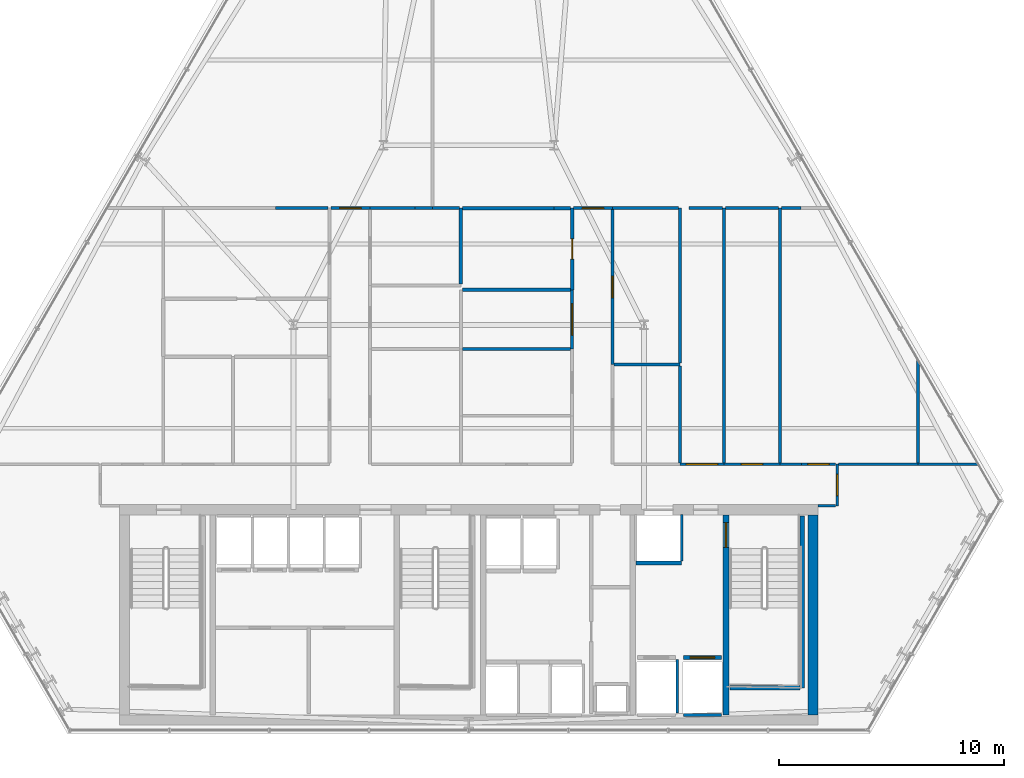
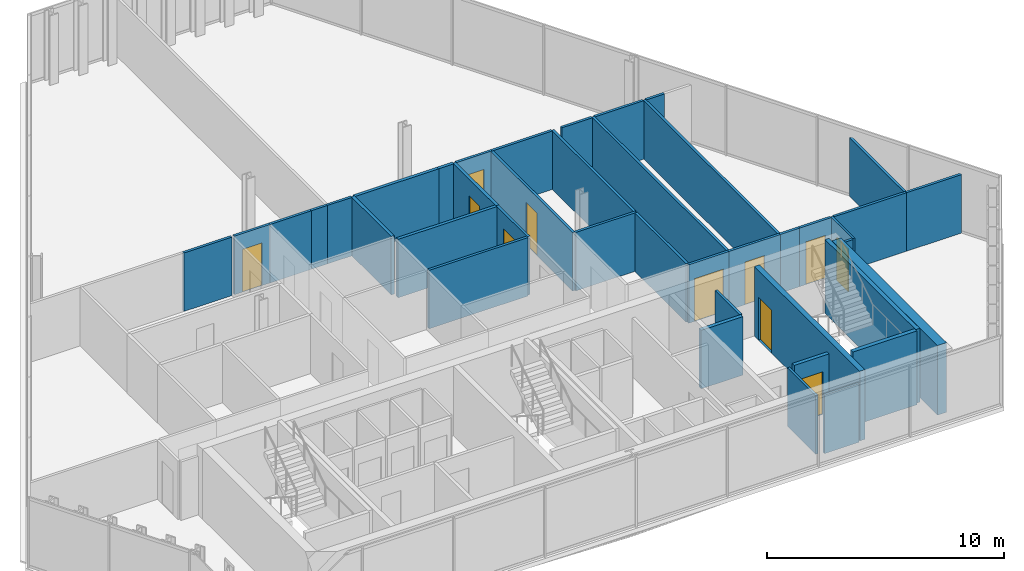
# One storey, part 27 of 31: 41 walls, 11 doors, 11 openings.
"""IFC4 building model written with IfcOpenShell, lengths in metres."""

from ifc_helpers import new_model, si_unit, direction, frame, frame_2d, origin, place, context, subcontext, project, spatial, rectangle, extrude, material, layer, layer_set, type_object, element, fill, save


model = new_model("IFC4")

# Units and contexts
model_context = context("Model", 3, precision=1e-05, world=origin(), true_north=direction((0.0, 1.0)))
body_context = subcontext(model_context, "Body", "Model", "MODEL_VIEW")
ifc_project = project(units=[si_unit("LENGTHUNIT", "METRE"), si_unit("AREAUNIT", "SQUARE_METRE"), si_unit("VOLUMEUNIT", "CUBIC_METRE"), si_unit("PLANEANGLEUNIT", "RADIAN"), si_unit("MASSUNIT", "GRAM", prefix="KILO")], contexts=[model_context])

# Site, building, storey
site_placement = place(None, origin())
site = spatial("IfcSite", under=ifc_project, at=site_placement, CompositionType="ELEMENT")
building_placement = place(site_placement, origin())
building = spatial("IfcBuilding", under=site, at=building_placement, Name="Ndaravel Arena Tower", CompositionType="ELEMENT")
storey_placement = place(building_placement, frame((0.0, 0.0, 138.39990234375)))
storey = spatial("IfcBuildingStorey", under=building, at=storey_placement, Name="L32", CompositionType="ELEMENT", Elevation=138.39990234375)

# Wall, opening, door
ifc_material_1 = material(Name="Concrete C60/75", Category="concrete")
ifc_layer_1 = layer(ifc_material_1, 0.25)
ifc_layer_set_1 = layer_set([ifc_layer_1], Name="Concrete C60/75")
wall_type_1 = type_object("IfcWallType", Name="WALL-CORE-250", PredefinedType="SOLIDWALL", material=ifc_layer_set_1)
wall_1_placement = place(storey_placement, frame((53.449951171875, 5.85009765625, 0.0), z_axis=(0.0, 0.0, 1.0), x_axis=(0.0, 1.0, 0.0)))
wall_1 = element("IfcWall", 1, at=wall_1_placement, inside=storey, type_object=wall_type_1, Name="L32 Core Web Shear Wall 5", PredefinedType="SOLIDWALL", context=body_context, shape_type="SweptSolid", body=[
    extrude(rectangle(XDim=8.89990234375, YDim=0.25, at=frame_2d((4.449951171875, 0.0))), origin(), (0.0, 0.0, 1.0), 3.580078125),
])
opening_1_placement = place(wall_1_placement, frame((7.449951171875, 0.0, 0.0)))
opening_1 = element("IfcOpeningElement", 2, at=opening_1_placement, cuts=wall_1, Name="Opening FD-01", PredefinedType="OPENING", context=body_context, shape_type="SweptSolid", body=[
    extrude(rectangle(XDim=1.10009765625, YDim=2.199951171875, at=frame_2d((0.550048828125, 1.10009765625))), frame((0.0, 0.125, 0.0), z_axis=(0.0, -1.0, 0.0), x_axis=(1.0, 0.0, 0.0)), (0.0, 0.0, 1.0), 0.25),
])
ifc_material_2 = material(Name="Steel S355", Category="steel")
door_type_1 = type_object("IfcDoorType", Name="DT-01-STAIR-1100", OperationType="SINGLE_SWING_LEFT", PredefinedType="DOOR", material=ifc_material_2)
door_1_placement = place(opening_1_placement, origin())
door_1 = element("IfcDoor", 3, at=door_1_placement, inside=storey, type_object=door_type_1, Name="L32 Firefighting Lobby to ST-3 Door", OperationType="SINGLE_SWING_LEFT", OverallHeight=2.199951171875, OverallWidth=1.10009765625, PredefinedType="DOOR", context=body_context, shape_type="SweptSolid", body=[
    extrude(rectangle(XDim=1.10009765625, YDim=2.199951171875, at=frame_2d((0.550048828125, 1.10009765625))), frame((0.0, 0.02490234375, 0.0), z_axis=(0.0, -1.0, 0.0), x_axis=(1.0, 0.0, 0.0)), (0.0, 0.0, 1.0), 0.050048828125),
])
fill(opening_1, door_1)

# Wall
ifc_material_3 = material(Name="Concrete C60/75", Category="concrete")
ifc_layer_2 = layer(ifc_material_3, 0.449951171875)
ifc_layer_set_2 = layer_set([ifc_layer_2], Name="Concrete C60/75")
wall_type_2 = type_object("IfcWallType", Name="WALL-CORE-450", PredefinedType="SOLIDWALL", material=ifc_layer_set_2)
wall_2_placement = place(storey_placement, frame((57.324951171875, 5.85009765625, 0.0), z_axis=(0.0, 0.0, 1.0), x_axis=(0.0, 1.0, 0.0)))
element("IfcWall", 4, at=wall_2_placement, inside=storey, type_object=wall_type_2, Name="L32 Core East Shear Wall", PredefinedType="SOLIDWALL", context=body_context, shape_type="SweptSolid", body=[
    extrude(rectangle(XDim=8.89990234375, YDim=0.449951171875, at=frame_2d((4.449951171875, 0.0))), origin(), (0.0, 0.0, 1.0), 3.580078125),
])

# Wall, opening, door
ifc_material_4 = material(Name="Timber", Category="wood")
ifc_layer_3 = layer(ifc_material_4, 0.10009765625)
ifc_layer_set_3 = layer_set([ifc_layer_3], Name="Timber")
wall_type_3 = type_object("IfcWallType", Name="WALL-MOVABLE-100", PredefinedType="MOVABLE", material=ifc_layer_set_3)
wall_3_placement = place(storey_placement, frame((58.39990234375, 17.0, 0.0), z_axis=(0.0, 0.0, 1.0), x_axis=(0.0, -1.0, 0.0)))
wall_3 = element("IfcWall", 5, at=wall_3_placement, inside=storey, type_object=wall_type_3, Name="L32 Interior Partition 001", PredefinedType="MOVABLE", context=body_context, shape_type="SweptSolid", body=[
    extrude(rectangle(XDim=1.85009765625, YDim=0.10009765625, at=frame_2d((0.925048828125, 0.0))), origin(), (0.0, 0.0, 1.0), 3.010498046875),
])
opening_2_placement = place(wall_3_placement, frame((0.449951171875, 0.0, 0.0)))
opening_2 = element("IfcOpeningElement", 6, at=opening_2_placement, cuts=wall_3, Name="Opening ID-01", PredefinedType="OPENING", context=body_context, shape_type="SweptSolid", body=[
    extrude(rectangle(XDim=0.949951171875, YDim=2.199951171875, at=frame_2d((0.47509765625, 1.10009765625))), frame((0.0, 0.050048828125, 0.0), z_axis=(0.0, -1.0, 0.0), x_axis=(1.0, 0.0, 0.0)), (0.0, 0.0, 1.0), 0.10009765625),
])
ifc_material_5 = material(Name="Timber", Category="wood")
door_type_2 = type_object("IfcDoorType", Name="DT-03-OFFICE-950", OperationType="SINGLE_SWING_LEFT", PredefinedType="DOOR", material=ifc_material_5)
door_2_placement = place(opening_2_placement, origin())
door_2 = element("IfcDoor", 7, at=door_2_placement, inside=storey, type_object=door_type_2, Name="L32 Quiet Reading Library Door", OperationType="SINGLE_SWING_RIGHT", OverallHeight=2.199951171875, OverallWidth=0.949951171875, PredefinedType="DOOR", context=body_context, shape_type="SweptSolid", body=[
    extrude(rectangle(XDim=0.949951171875, YDim=2.199951171875, at=frame_2d((0.47509765625, 1.10009765625))), frame((0.0, 0.02490234375, 0.0), z_axis=(0.0, -1.0, 0.0), x_axis=(1.0, 0.0, 0.0)), (0.0, 0.0, 1.0), 0.050048828125),
])
fill(opening_2, door_2)

# Wall
ifc_material_6 = material(Name="Gypsum", Category="gypsum")
ifc_layer_4 = layer(ifc_material_6, 0.125)
ifc_layer_set_4 = layer_set([ifc_layer_4], Name="Gypsum")
wall_type_4 = type_object("IfcWallType", Name="WALL-PART-125", PredefinedType="PARTITIONING", material=ifc_layer_set_4)
wall_4_placement = place(storey_placement, frame((58.3349609375, 15.14990234375, 0.0), z_axis=(0.0, 0.0, 1.0), x_axis=(-1.0, 0.0, 0.0)))
element("IfcWall", 8, at=wall_4_placement, inside=storey, type_object=wall_type_4, Name="L32 Interior Partition 002", PredefinedType="PARTITIONING", context=body_context, shape_type="SweptSolid", body=[
    extrude(rectangle(XDim=0.784912109375, YDim=0.125, at=frame_2d((0.392578125, 0.0))), origin(), (0.0, 0.0, 1.0), 3.010498046875),
])

# Wall, opening, door
wall_5_placement = place(storey_placement, frame((35.864990234375, 28.39990234375, 0.0), z_axis=(0.0, 0.0, 1.0), x_axis=(1.0, 0.0, 0.0)))
wall_5 = element("IfcWall", 9, at=wall_5_placement, inside=storey, type_object=wall_type_4, Name="L32 Interior Partition 011", PredefinedType="PARTITIONING", context=body_context, shape_type="SweptSolid", body=[
    extrude(rectangle(XDim=1.735107421875, YDim=0.125, at=frame_2d((0.86767578125, 0.0))), origin(), (0.0, 0.0, 1.0), 3.010498046875),
])
opening_3_placement = place(wall_5_placement, frame((0.392578125, 0.0, 0.0)))
opening_3 = element("IfcOpeningElement", 10, at=opening_3_placement, cuts=wall_5, Name="Opening ID-01", PredefinedType="OPENING", context=body_context, shape_type="SweptSolid", body=[
    extrude(rectangle(XDim=0.949951171875, YDim=2.199951171875, at=frame_2d((0.47509765625, 1.10009765625))), frame((0.0, 0.0625, 0.0), z_axis=(0.0, -1.0, 0.0), x_axis=(1.0, 0.0, 0.0)), (0.0, 0.0, 1.0), 0.125),
])
door_3_placement = place(opening_3_placement, origin())
door_3 = element("IfcDoor", 11, at=door_3_placement, inside=storey, type_object=door_type_2, Name="L32 Design Workshop 8 Door", OperationType="SINGLE_SWING_RIGHT", OverallHeight=2.199951171875, OverallWidth=0.949951171875, PredefinedType="DOOR", context=body_context, shape_type="SweptSolid", body=[
    extrude(rectangle(XDim=0.949951171875, YDim=2.199951171875, at=frame_2d((0.47509765625, 1.10009765625))), frame((0.0, 0.02490234375, 0.0), z_axis=(0.0, -1.0, 0.0), x_axis=(1.0, 0.0, 0.0)), (0.0, 0.0, 1.0), 0.050048828125),
])
fill(opening_3, door_3)

wall_6_placement = place(storey_placement, frame((46.60009765625, 22.1298828125, 0.0), z_axis=(0.0, 0.0, 1.0), x_axis=(0.0, 1.0, 0.0)))
wall_6 = element("IfcWall", 12, at=wall_6_placement, inside=storey, type_object=wall_type_4, Name="L32 Interior Partition 019", PredefinedType="PARTITIONING", context=body_context, shape_type="SweptSolid", body=[
    extrude(rectangle(XDim=2.633544921875, YDim=0.125, at=frame_2d((1.31689453125, 0.0))), origin(), (0.0, 0.0, 1.0), 3.010498046875),
])
opening_4_placement = place(wall_6_placement, frame((0.61669921875, 0.0, 0.0)))
opening_4 = element("IfcOpeningElement", 13, at=opening_4_placement, cuts=wall_6, Name="Opening ID-02", PredefinedType="OPENING", context=body_context, shape_type="SweptSolid", body=[
    extrude(rectangle(XDim=1.39990234375, YDim=2.199951171875, at=frame_2d((0.699951171875, 1.10009765625))), frame((0.0, 0.0625, 0.0), z_axis=(0.0, -1.0, 0.0), x_axis=(1.0, 0.0, 0.0)), (0.0, 0.0, 1.0), 0.125),
])
ifc_material_7 = material(Name="Timber", Category="wood")
door_type_3 = type_object("IfcDoorType", Name="DT-04-SUITE-1400", OperationType="DOUBLE_DOOR_SINGLE_SWING", PredefinedType="DOOR", material=ifc_material_7)
door_4_placement = place(opening_4_placement, origin())
door_4 = element("IfcDoor", 14, at=door_4_placement, inside=storey, type_object=door_type_3, Name="L32 Client Conference Room 6 Door", OperationType="SINGLE_SWING_RIGHT", OverallHeight=2.199951171875, OverallWidth=1.39990234375, PredefinedType="DOOR", context=body_context, shape_type="SweptSolid", body=[
    extrude(rectangle(XDim=1.39990234375, YDim=2.199951171875, at=frame_2d((0.699951171875, 1.10009765625))), frame((0.0, 0.02490234375, 0.0), z_axis=(0.0, -1.0, 0.0), x_axis=(1.0, 0.0, 0.0)), (0.0, 0.0, 1.0), 0.050048828125),
])
fill(opening_4, door_4)

wall_7_placement = place(storey_placement, frame((46.6650390625, 28.39990234375, 0.0), z_axis=(0.0, 0.0, 1.0), x_axis=(1.0, 0.0, 0.0)))
wall_7 = element("IfcWall", 15, at=wall_7_placement, inside=storey, type_object=wall_type_4, Name="L32 Interior Partition 021", PredefinedType="PARTITIONING", context=body_context, shape_type="SweptSolid", body=[
    extrude(rectangle(XDim=1.73486328125, YDim=0.125, at=frame_2d((0.867431640625, 0.0))), origin(), (0.0, 0.0, 1.0), 3.010498046875),
])
opening_5_placement = place(wall_7_placement, frame((0.392578125, 0.0, 0.0)))
opening_5 = element("IfcOpeningElement", 16, at=opening_5_placement, cuts=wall_7, Name="Opening ID-01", PredefinedType="OPENING", context=body_context, shape_type="SweptSolid", body=[
    extrude(rectangle(XDim=0.949951171875, YDim=2.199951171875, at=frame_2d((0.47509765625, 1.10009765625))), frame((0.0, 0.0625, 0.0), z_axis=(0.0, -1.0, 0.0), x_axis=(1.0, 0.0, 0.0)), (0.0, 0.0, 1.0), 0.125),
])
door_5_placement = place(opening_5_placement, origin())
door_5 = element("IfcDoor", 17, at=door_5_placement, inside=storey, type_object=door_type_2, Name="L32 Executive Boardroom 9 Door", OperationType="SINGLE_SWING_LEFT", OverallHeight=2.199951171875, OverallWidth=0.949951171875, PredefinedType="DOOR", context=body_context, shape_type="SweptSolid", body=[
    extrude(rectangle(XDim=0.949951171875, YDim=2.199951171875, at=frame_2d((0.47509765625, 1.10009765625))), frame((0.0, 0.02490234375, 0.0), z_axis=(0.0, -1.0, 0.0), x_axis=(1.0, 0.0, 0.0)), (0.0, 0.0, 1.0), 0.050048828125),
])
fill(opening_5, door_5)

wall_8_placement = place(storey_placement, frame((48.39990234375, 28.3349609375, 0.0), z_axis=(0.0, 0.0, 1.0), x_axis=(0.0, -1.0, 0.0)))
wall_8 = element("IfcWall", 18, at=wall_8_placement, inside=storey, type_object=wall_type_4, Name="L32 Interior Partition 022", PredefinedType="PARTITIONING", context=body_context, shape_type="SweptSolid", body=[
    extrude(rectangle(XDim=6.888916015625, YDim=0.125, at=frame_2d((3.4443359375, 0.0))), origin(), (0.0, 0.0, 1.0), 3.010498046875),
])
opening_6_placement = place(wall_8_placement, frame((2.969482421875, 0.0, 0.0)))
opening_6 = element("IfcOpeningElement", 19, at=opening_6_placement, cuts=wall_8, Name="Opening ID-01", PredefinedType="OPENING", context=body_context, shape_type="SweptSolid", body=[
    extrude(rectangle(XDim=0.949951171875, YDim=2.199951171875, at=frame_2d((0.47509765625, 1.10009765625))), frame((0.0, 0.0625, 0.0), z_axis=(0.0, -1.0, 0.0), x_axis=(1.0, 0.0, 0.0)), (0.0, 0.0, 1.0), 0.125),
])
door_6_placement = place(opening_6_placement, origin())
door_6 = element("IfcDoor", 20, at=door_6_placement, inside=storey, type_object=door_type_2, Name="L32 Project Seminar Room 7 Door", OperationType="SINGLE_SWING_RIGHT", OverallHeight=2.199951171875, OverallWidth=0.949951171875, PredefinedType="DOOR", context=body_context, shape_type="SweptSolid", body=[
    extrude(rectangle(XDim=0.949951171875, YDim=2.199951171875, at=frame_2d((0.47509765625, 1.10009765625))), frame((0.0, 0.02490234375, 0.0), z_axis=(0.0, -1.0, 0.0), x_axis=(1.0, 0.0, 0.0)), (0.0, 0.0, 1.0), 0.050048828125),
])
fill(opening_6, door_6)

wall_9_placement = place(storey_placement, frame((51.39990234375, 17.0, 0.0), z_axis=(0.0, 0.0, 1.0), x_axis=(1.0, 0.0, 0.0)))
wall_9 = element("IfcWall", 21, at=wall_9_placement, inside=storey, type_object=wall_type_4, Name="L32 Interior Partition 025", PredefinedType="PARTITIONING", context=body_context, shape_type="SweptSolid", body=[
    extrude(rectangle(XDim=1.958984375, YDim=0.125, at=frame_2d((0.9794921875, 0.0))), origin(), (0.0, 0.0, 1.0), 3.010498046875),
])
opening_7_placement = place(wall_9_placement, frame((0.279296875, 0.0, 0.0)))
opening_7 = element("IfcOpeningElement", 22, at=opening_7_placement, cuts=wall_9, Name="Opening ID-02", PredefinedType="OPENING", context=body_context, shape_type="SweptSolid", body=[
    extrude(rectangle(XDim=1.39990234375, YDim=2.199951171875, at=frame_2d((0.699951171875, 1.10009765625))), frame((0.0, 0.0625, 0.0), z_axis=(0.0, -1.0, 0.0), x_axis=(1.0, 0.0, 0.0)), (0.0, 0.0, 1.0), 0.125),
])
door_7_placement = place(opening_7_placement, origin())
door_7 = element("IfcDoor", 23, at=door_7_placement, inside=storey, type_object=door_type_3, Name="L32 Executive Boardroom 5 Door", OperationType="SINGLE_SWING_LEFT", OverallHeight=2.199951171875, OverallWidth=1.39990234375, PredefinedType="DOOR", context=body_context, shape_type="SweptSolid", body=[
    extrude(rectangle(XDim=1.39990234375, YDim=2.199951171875, at=frame_2d((0.699951171875, 1.10009765625))), frame((0.0, 0.02490234375, 0.0), z_axis=(0.0, -1.0, 0.0), x_axis=(1.0, 0.0, 0.0)), (0.0, 0.0, 1.0), 0.050048828125),
])
fill(opening_7, door_7)

wall_10_placement = place(storey_placement, frame((53.35888671875, 17.0, 0.0), z_axis=(0.0, 0.0, 1.0), x_axis=(1.0, 0.0, 0.0)))
wall_10 = element("IfcWall", 24, at=wall_10_placement, inside=storey, type_object=wall_type_4, Name="L32 Interior Partition 026", PredefinedType="PARTITIONING", context=body_context, shape_type="SweptSolid", body=[
    extrude(rectangle(XDim=2.4931640625, YDim=0.125, at=frame_2d((1.24658203125, 0.0))), origin(), (0.0, 0.0, 1.0), 3.010498046875),
])
opening_8_placement = place(wall_10_placement, frame((0.771484375, 0.0, 0.0)))
opening_8 = element("IfcOpeningElement", 25, at=opening_8_placement, cuts=wall_10, Name="Opening ID-01", PredefinedType="OPENING", context=body_context, shape_type="SweptSolid", body=[
    extrude(rectangle(XDim=0.949951171875, YDim=2.199951171875, at=frame_2d((0.47509765625, 1.10009765625))), frame((0.0, 0.0625, 0.0), z_axis=(0.0, -1.0, 0.0), x_axis=(1.0, 0.0, 0.0)), (0.0, 0.0, 1.0), 0.125),
])
door_8_placement = place(opening_8_placement, origin())
door_8 = element("IfcDoor", 26, at=door_8_placement, inside=storey, type_object=door_type_2, Name="L32 Quiet Reading Library 5 Door", OperationType="SINGLE_SWING_RIGHT", OverallHeight=2.199951171875, OverallWidth=0.949951171875, PredefinedType="DOOR", context=body_context, shape_type="SweptSolid", body=[
    extrude(rectangle(XDim=0.949951171875, YDim=2.199951171875, at=frame_2d((0.47509765625, 1.10009765625))), frame((0.0, 0.02490234375, 0.0), z_axis=(0.0, -1.0, 0.0), x_axis=(1.0, 0.0, 0.0)), (0.0, 0.0, 1.0), 0.050048828125),
])
fill(opening_8, door_8)

# Wall
wall_11_placement = place(storey_placement, frame((55.85205078125, 17.0, 0.0), z_axis=(0.0, 0.0, 1.0), x_axis=(1.0, 0.0, 0.0)))
element("IfcWall", 27, at=wall_11_placement, inside=storey, type_object=wall_type_4, Name="L32 Interior Partition 027", PredefinedType="PARTITIONING", context=body_context, shape_type="SweptSolid", body=[
    extrude(rectangle(XDim=0.947998046875, YDim=0.125, at=frame_2d((0.47412109375, 0.0))), origin(), (0.0, 0.0, 1.0), 3.010498046875),
])

# Wall, opening, door
wall_12_placement = place(storey_placement, frame((56.800048828125, 17.0, 0.0), z_axis=(0.0, 0.0, 1.0), x_axis=(1.0, 0.0, 0.0)))
wall_12 = element("IfcWall", 28, at=wall_12_placement, inside=storey, type_object=wall_type_4, Name="L32 Interior Partition 028", PredefinedType="PARTITIONING", context=body_context, shape_type="SweptSolid", body=[
    extrude(rectangle(XDim=1.534912109375, YDim=0.125, at=frame_2d((0.767578125, 0.0))), origin(), (0.0, 0.0, 1.0), 3.010498046875),
])
opening_9_placement = place(wall_12_placement, frame((0.29248046875, 0.0, 0.0)))
opening_9 = element("IfcOpeningElement", 29, at=opening_9_placement, cuts=wall_12, Name="Opening ID-01", PredefinedType="OPENING", context=body_context, shape_type="SweptSolid", body=[
    extrude(rectangle(XDim=0.949951171875, YDim=2.199951171875, at=frame_2d((0.47509765625, 1.10009765625))), frame((0.0, 0.0625, 0.0), z_axis=(0.0, -1.0, 0.0), x_axis=(1.0, 0.0, 0.0)), (0.0, 0.0, 1.0), 0.125),
])
door_9_placement = place(opening_9_placement, origin())
door_9 = element("IfcDoor", 30, at=door_9_placement, inside=storey, type_object=door_type_2, Name="L32 Design Workshop 4 Door", OperationType="SINGLE_SWING_RIGHT", OverallHeight=2.199951171875, OverallWidth=0.949951171875, PredefinedType="DOOR", context=body_context, shape_type="SweptSolid", body=[
    extrude(rectangle(XDim=0.949951171875, YDim=2.199951171875, at=frame_2d((0.47509765625, 1.10009765625))), frame((0.0, 0.02490234375, 0.0), z_axis=(0.0, -1.0, 0.0), x_axis=(1.0, 0.0, 0.0)), (0.0, 0.0, 1.0), 0.050048828125),
])
fill(opening_9, door_9)

# Walls
wall_13_placement = place(storey_placement, frame((58.465087890625, 17.0, 0.0), z_axis=(0.0, 0.0, 1.0), x_axis=(1.0, 0.0, 0.0)))
element("IfcWall", 31, at=wall_13_placement, inside=storey, type_object=wall_type_4, Name="L32 Interior Partition 030", PredefinedType="PARTITIONING", context=body_context, shape_type="SweptSolid", body=[
    extrude(rectangle(XDim=3.534912109375, YDim=0.125, at=frame_2d((1.767578125, 0.0))), origin(), (0.0, 0.0, 1.0), 3.010498046875),
])
wall_14_placement = place(storey_placement, frame((62.0, 17.0, 0.0), z_axis=(0.0, 0.0, 1.0), x_axis=(1.0, 0.0, 0.0)))
element("IfcWall", 32, at=wall_14_placement, inside=storey, type_object=wall_type_4, Name="L32 Interior Partition 031", PredefinedType="PARTITIONING", context=body_context, shape_type="SweptSolid", body=[
    extrude(rectangle(XDim=2.68310546875, YDim=0.125, at=frame_2d((1.341552734375, 0.0))), origin(), (0.0, 0.0, 1.0), 3.010498046875),
])
wall_15_placement = place(storey_placement, frame((48.465087890625, 21.446044921875, 0.0), z_axis=(0.0, 0.0, 1.0), x_axis=(1.0, 0.0, 0.0)))
element("IfcWall", 33, at=wall_15_placement, inside=storey, type_object=wall_type_4, Name="L32 Interior Partition 034", PredefinedType="PARTITIONING", context=body_context, shape_type="SweptSolid", body=[
    extrude(rectangle(XDim=2.934814453125, YDim=0.125, at=frame_2d((1.46728515625, 0.0))), origin(), (0.0, 0.0, 1.0), 3.010498046875),
])
wall_16_placement = place(storey_placement, frame((51.39990234375, 21.381103515625, 0.0), z_axis=(0.0, 0.0, 1.0), x_axis=(0.0, -1.0, 0.0)))
element("IfcWall", 34, at=wall_16_placement, inside=storey, type_object=wall_type_4, Name="L32 Interior Partition 035", PredefinedType="PARTITIONING", context=body_context, shape_type="SweptSolid", body=[
    extrude(rectangle(XDim=4.316162109375, YDim=0.125, at=frame_2d((2.158203125, 0.0))), origin(), (0.0, 0.0, 1.0), 3.010498046875),
])
wall_17_placement = place(storey_placement, frame((41.715087890625, 22.1298828125, 0.0), z_axis=(0.0, 0.0, 1.0), x_axis=(1.0, 0.0, 0.0)))
element("IfcWall", 35, at=wall_17_placement, inside=storey, type_object=wall_type_4, Name="L32 Interior Partition 042", PredefinedType="PARTITIONING", context=body_context, shape_type="SweptSolid", body=[
    extrude(rectangle(XDim=4.81982421875, YDim=0.125, at=frame_2d((2.409912109375, 0.0))), origin(), (0.0, 0.0, 1.0), 3.010498046875),
])
wall_18_placement = place(storey_placement, frame((62.0, 21.647216796875, 0.0), z_axis=(0.0, 0.0, 1.0), x_axis=(0.0, -1.0, 0.0)))
element("IfcWall", 36, at=wall_18_placement, inside=storey, type_object=wall_type_4, Name="L32 Interior Partition 047", PredefinedType="PARTITIONING", context=body_context, shape_type="SweptSolid", body=[
    extrude(rectangle(XDim=4.582275390625, YDim=0.125, at=frame_2d((2.291015625, 0.0))), origin(), (0.0, 0.0, 1.0), 3.010498046875),
])
wall_19_placement = place(storey_placement, frame((55.85205078125, 17.06494140625, 0.0), z_axis=(0.0, 0.0, 1.0), x_axis=(0.0, 1.0, 0.0)))
element("IfcWall", 37, at=wall_19_placement, inside=storey, type_object=wall_type_4, Name="L32 Interior Partition 048", PredefinedType="PARTITIONING", context=body_context, shape_type="SweptSolid", body=[
    extrude(rectangle(XDim=11.3349609375, YDim=0.125, at=frame_2d((5.66748046875, 0.0))), origin(), (0.0, 0.0, 1.0), 3.010498046875),
])
wall_20_placement = place(storey_placement, frame((55.9169921875, 28.39990234375, 0.0), z_axis=(0.0, 0.0, 1.0), x_axis=(1.0, 0.0, 0.0)))
element("IfcWall", 38, at=wall_20_placement, inside=storey, type_object=wall_type_4, Name="L32 Interior Partition 049", PredefinedType="PARTITIONING", context=body_context, shape_type="SweptSolid", body=[
    extrude(rectangle(XDim=0.883056640625, YDim=0.125, at=frame_2d((0.44140625, 0.0))), origin(), (0.0, 0.0, 1.0), 3.010498046875),
])
wall_21_placement = place(storey_placement, frame((53.35888671875, 28.39990234375, 0.0), z_axis=(0.0, 0.0, 1.0), x_axis=(0.0, -1.0, 0.0)))
element("IfcWall", 39, at=wall_21_placement, inside=storey, type_object=wall_type_4, Name="L32 Interior Partition 050", PredefinedType="PARTITIONING", context=body_context, shape_type="SweptSolid", body=[
    extrude(rectangle(XDim=11.3349609375, YDim=0.125, at=frame_2d((5.66748046875, 0.0))), origin(), (0.0, 0.0, 1.0), 3.010498046875),
])
wall_22_placement = place(storey_placement, frame((51.39990234375, 21.510986328125, 0.0), z_axis=(0.0, 0.0, 1.0), x_axis=(0.0, 1.0, 0.0)))
element("IfcWall", 40, at=wall_22_placement, inside=storey, type_object=wall_type_4, Name="L32 Interior Partition 051", PredefinedType="PARTITIONING", context=body_context, shape_type="SweptSolid", body=[
    extrude(rectangle(XDim=6.888916015625, YDim=0.125, at=frame_2d((3.4443359375, 0.0))), origin(), (0.0, 0.0, 1.0), 3.010498046875),
])
wall_23_placement = place(storey_placement, frame((51.800048828125, 28.39990234375, 0.0), z_axis=(0.0, 0.0, 1.0), x_axis=(1.0, 0.0, 0.0)))
element("IfcWall", 41, at=wall_23_placement, inside=storey, type_object=wall_type_4, Name="L32 Interior Partition 052", PredefinedType="PARTITIONING", context=body_context, shape_type="SweptSolid", body=[
    extrude(rectangle(XDim=1.493896484375, YDim=0.125, at=frame_2d((0.7470703125, 0.0))), origin(), (0.0, 0.0, 1.0), 3.010498046875),
])
wall_24_placement = place(storey_placement, frame((53.423828125, 28.39990234375, 0.0), z_axis=(0.0, 0.0, 1.0), x_axis=(1.0, 0.0, 0.0)))
element("IfcWall", 42, at=wall_24_placement, inside=storey, type_object=wall_type_4, Name="L32 Interior Partition 053", PredefinedType="PARTITIONING", context=body_context, shape_type="SweptSolid", body=[
    extrude(rectangle(XDim=2.36328125, YDim=0.125, at=frame_2d((1.181640625, 0.0))), origin(), (0.0, 0.0, 1.0), 3.010498046875),
])
wall_25_placement = place(storey_placement, frame((48.39990234375, 28.39990234375, 0.0), z_axis=(0.0, 0.0, 1.0), x_axis=(1.0, 0.0, 0.0)))
element("IfcWall", 43, at=wall_25_placement, inside=storey, type_object=wall_type_4, Name="L32 Interior Partition 058", PredefinedType="PARTITIONING", context=body_context, shape_type="SweptSolid", body=[
    extrude(rectangle(XDim=2.93505859375, YDim=0.125, at=frame_2d((1.467529296875, 0.0))), origin(), (0.0, 0.0, 1.0), 3.010498046875),
])
wall_26_placement = place(storey_placement, frame((33.39990234375, 28.39990234375, 0.0), z_axis=(0.0, 0.0, 1.0), x_axis=(1.0, 0.0, 0.0)))
element("IfcWall", 44, at=wall_26_placement, inside=storey, type_object=wall_type_4, Name="L32 Interior Partition 060", PredefinedType="PARTITIONING", context=body_context, shape_type="SweptSolid", body=[
    extrude(rectangle(XDim=2.335205078125, YDim=0.125, at=frame_2d((1.16748046875, 0.0))), origin(), (0.0, 0.0, 1.0), 3.010498046875),
])
wall_27_placement = place(storey_placement, frame((37.60009765625, 28.39990234375, 0.0), z_axis=(0.0, 0.0, 1.0), x_axis=(1.0, 0.0, 0.0)))
element("IfcWall", 45, at=wall_27_placement, inside=storey, type_object=wall_type_4, Name="L32 Interior Partition 064", PredefinedType="PARTITIONING", context=body_context, shape_type="SweptSolid", body=[
    extrude(rectangle(XDim=2.0, YDim=0.125, at=frame_2d((1.0, 0.0))), origin(), (0.0, 0.0, 1.0), 3.010498046875),
])
wall_28_placement = place(storey_placement, frame((39.60009765625, 28.39990234375, 0.0), z_axis=(0.0, 0.0, 1.0), x_axis=(1.0, 0.0, 0.0)))
element("IfcWall", 46, at=wall_28_placement, inside=storey, type_object=wall_type_4, Name="L32 Interior Partition 065", PredefinedType="PARTITIONING", context=body_context, shape_type="SweptSolid", body=[
    extrude(rectangle(XDim=0.789794921875, YDim=0.125, at=frame_2d((0.39501953125, 0.0))), origin(), (0.0, 0.0, 1.0), 3.010498046875),
])
wall_29_placement = place(storey_placement, frame((40.389892578125, 28.39990234375, 0.0), z_axis=(0.0, 0.0, 1.0), x_axis=(1.0, 0.0, 0.0)))
element("IfcWall", 47, at=wall_29_placement, inside=storey, type_object=wall_type_4, Name="L32 Interior Partition 066", PredefinedType="PARTITIONING", context=body_context, shape_type="SweptSolid", body=[
    extrude(rectangle(XDim=1.195068359375, YDim=0.125, at=frame_2d((0.59765625, 0.0))), origin(), (0.0, 0.0, 1.0), 3.010498046875),
])
ifc_material_8 = material(Name="Concrete C40/50", Category="concrete")
ifc_layer_5 = layer(ifc_material_8, 0.1201171875)
ifc_layer_set_5 = layer_set([ifc_layer_5], Name="Concrete C40/50")
wall_type_5 = type_object("IfcWallType", Name="WALL-SHAFT-120", PredefinedType="SOLIDWALL", material=ifc_layer_set_5)
wall_30_placement = place(storey_placement, frame((51.27490234375, 5.929931640625, 0.0), z_axis=(0.0, 0.0, 1.0), x_axis=(0.0, 1.0, 0.0)))
element("IfcWall", 48, at=wall_30_placement, inside=storey, type_object=wall_type_5, Name="L32 FFL-1 Shaft Side R Wall", PredefinedType="SOLIDWALL", context=body_context, shape_type="SweptSolid", body=[
    extrude(rectangle(XDim=2.380126953125, YDim=0.1201171875, at=frame_2d((1.18994140625, 0.0))), origin(), (0.0, 0.0, 1.0), 3.010498046875),
])
wall_31_placement = place(storey_placement, frame((51.554931640625, 5.840087890625, 0.0), z_axis=(0.0, 0.0, 1.0), x_axis=(1.0, 0.0, 0.0)))
element("IfcWall", 49, at=wall_31_placement, inside=storey, type_object=wall_type_5, Name="L32 FFL-2 Shaft Rear Wall", PredefinedType="SOLIDWALL", context=body_context, shape_type="SweptSolid", body=[
    extrude(rectangle(XDim=1.690185546875, YDim=0.1201171875, at=frame_2d((0.84521484375, 0.0))), origin(), (0.0, 0.0, 1.0), 3.010498046875),
])
wall_32_placement = place(storey_placement, frame((51.47998046875, 12.68994140625, 0.0), z_axis=(0.0, 0.0, 1.0), x_axis=(0.0, 1.0, 0.0)))
element("IfcWall", 50, at=wall_32_placement, inside=storey, type_object=wall_type_5, Name="L32 SVL-1 Shaft E Wall", PredefinedType="SOLIDWALL", context=body_context, shape_type="SweptSolid", body=[
    extrude(rectangle(XDim=2.070068359375, YDim=0.1201171875, at=frame_2d((1.03515625, 0.0))), origin(), (0.0, 0.0, 1.0), 3.010498046875),
])
ifc_material_9 = material(Name="Concrete C40/50", Category="concrete")
ifc_layer_6 = layer(ifc_material_9, 0.199951171875)
ifc_layer_set_6 = layer_set([ifc_layer_6], Name="Concrete C40/50")
wall_type_6 = type_object("IfcWallType", Name="WALL-SHAFT-200", PredefinedType="SOLIDWALL", material=ifc_layer_set_6)
wall_33_placement = place(storey_placement, frame((56.840087890625, 14.699951171875, 0.0), z_axis=(0.0, 0.0, 1.0), x_axis=(0.0, -1.0, 0.0)))
element("IfcWall", 51, at=wall_33_placement, inside=storey, type_object=wall_type_6, Name="L32 ST-3 Structural Shaft Wall Right", PredefinedType="SOLIDWALL", context=body_context, shape_type="SweptSolid", body=[
    extrude(rectangle(XDim=7.64990234375, YDim=0.199951171875, at=frame_2d((3.824951171875, 0.0))), origin(), (0.0, 0.0, 1.0), 3.800048828125),
])
wall_34_placement = place(storey_placement, frame((53.6201171875, 7.050048828125, 0.0), z_axis=(0.0, 0.0, 1.0), x_axis=(1.0, 0.0, 0.0)))
element("IfcWall", 52, at=wall_34_placement, inside=storey, type_object=wall_type_6, Name="L32 ST-3 Structural Shaft Wall Far", PredefinedType="SOLIDWALL", context=body_context, shape_type="SweptSolid", body=[
    extrude(rectangle(XDim=3.114990234375, YDim=0.199951171875, at=frame_2d((1.5576171875, 0.0))), origin(), (0.0, 0.0, 1.0), 3.800048828125),
])

# Wall, opening, door
wall_35_placement = place(storey_placement, frame((51.554931640625, 8.39990234375, 0.0), z_axis=(0.0, 0.0, 1.0), x_axis=(1.0, 0.0, 0.0)))
wall_35 = element("IfcWall", 53, at=wall_35_placement, inside=storey, type_object=wall_type_6, Name="L32 FFL-2 Shaft Landing Wall", PredefinedType="SOLIDWALL", context=body_context, shape_type="SweptSolid", body=[
    extrude(rectangle(XDim=1.690185546875, YDim=0.179931640625, at=frame_2d((0.84521484375, 0.0))), origin(), (0.0, 0.0, 1.0), 3.010498046875),
])
opening_10_placement = place(wall_35_placement, frame((0.294921875, 0.0, 0.0)))
opening_10 = element("IfcOpeningElement", 54, at=opening_10_placement, cuts=wall_35, Name="Opening LD-01", PredefinedType="OPENING", context=body_context, shape_type="SweptSolid", body=[
    extrude(rectangle(XDim=1.10009765625, YDim=2.199951171875, at=frame_2d((0.550048828125, 1.10009765625))), frame((0.0, 0.08984375, 0.0), z_axis=(0.0, -1.0, 0.0), x_axis=(1.0, 0.0, 0.0)), (0.0, 0.0, 1.0), 0.179931640625),
])
ifc_material_10 = material(Name="Steel S355", Category="steel")
door_type_4 = type_object("IfcDoorType", Name="DT-06-LIFT-1100", OperationType="SLIDING_TO_LEFT", PredefinedType="DOOR", material=ifc_material_10)
door_10_placement = place(opening_10_placement, origin())
door_10 = element("IfcDoor", 55, at=door_10_placement, inside=storey, type_object=door_type_4, Name="L32 Lift FFL-2 Sliding Landing Door", OperationType="SLIDING_TO_LEFT", OverallHeight=2.199951171875, OverallWidth=1.10009765625, PredefinedType="DOOR", context=body_context, shape_type="SweptSolid", body=[
    extrude(rectangle(XDim=1.10009765625, YDim=2.199951171875, at=frame_2d((0.550048828125, 1.10009765625))), frame((0.0, 0.02490234375, 0.0), z_axis=(0.0, -1.0, 0.0), x_axis=(1.0, 0.0, 0.0)), (0.0, 0.0, 1.0), 0.050048828125),
])
fill(opening_10, door_10)

# Wall
wall_36_placement = place(storey_placement, frame((49.43994140625, 12.594970703125, 0.0), z_axis=(0.0, 0.0, 1.0), x_axis=(1.0, 0.0, 0.0)))
element("IfcWall", 56, at=wall_36_placement, inside=storey, type_object=wall_type_6, Name="L32 SVL-1 Shaft South Wall", PredefinedType="SOLIDWALL", context=body_context, shape_type="SweptSolid", body=[
    extrude(rectangle(XDim=2.0400390625, YDim=0.179931640625, at=frame_2d((1.02001953125, 0.0))), origin(), (0.0, 0.0, 1.0), 3.010498046875),
])

# Wall, opening, door
ifc_material_11 = material(Name="Masonry", Category="masonry")
ifc_layer_7 = layer(ifc_material_11, 0.14990234375)
ifc_layer_set_7 = layer_set([ifc_layer_7], Name="Masonry")
wall_type_7 = type_object("IfcWallType", Name="WALL-WET-150", PredefinedType="PARTITIONING", material=ifc_layer_set_7)
wall_37_placement = place(storey_placement, frame((46.60009765625, 24.763427734375, 0.0), z_axis=(0.0, 0.0, 1.0), x_axis=(0.0, 1.0, 0.0)))
wall_37 = element("IfcWall", 57, at=wall_37_placement, inside=storey, type_object=wall_type_7, Name="L32 Interior Partition 020", PredefinedType="PARTITIONING", context=body_context, shape_type="SweptSolid", body=[
    extrude(rectangle(XDim=3.636474609375, YDim=0.14990234375, at=frame_2d((1.818359375, 0.0))), origin(), (0.0, 0.0, 1.0), 3.010498046875),
])
opening_11_placement = place(wall_37_placement, frame((1.368408203125, 0.0, 0.0)))
opening_11 = element("IfcOpeningElement", 58, at=opening_11_placement, cuts=wall_37, Name="Opening WD-01", PredefinedType="OPENING", context=body_context, shape_type="SweptSolid", body=[
    extrude(rectangle(XDim=0.89990234375, YDim=2.14990234375, at=frame_2d((0.449951171875, 1.074951171875))), frame((0.0, 0.074951171875, 0.0), z_axis=(0.0, -1.0, 0.0), x_axis=(1.0, 0.0, 0.0)), (0.0, 0.0, 1.0), 0.14990234375),
])
ifc_material_12 = material(Name="Timber", Category="wood")
door_type_5 = type_object("IfcDoorType", Name="DT-05-WC-900", OperationType="SINGLE_SWING_LEFT", PredefinedType="DOOR", material=ifc_material_12)
door_11_placement = place(opening_11_placement, origin())
door_11 = element("IfcDoor", 59, at=door_11_placement, inside=storey, type_object=door_type_5, Name="L32 Female & Accessible Restroom Door", OperationType="SINGLE_SWING_RIGHT", OverallHeight=2.14990234375, OverallWidth=0.89990234375, PredefinedType="DOOR", context=body_context, shape_type="SweptSolid", body=[
    extrude(rectangle(XDim=0.89990234375, YDim=2.14990234375, at=frame_2d((0.449951171875, 1.074951171875))), frame((0.0, 0.02490234375, 0.0), z_axis=(0.0, -1.0, 0.0), x_axis=(1.0, 0.0, 0.0)), (0.0, 0.0, 1.0), 0.050048828125),
])
fill(opening_11, door_11)

# Walls
wall_38_placement = place(storey_placement, frame((41.715087890625, 24.763427734375, 0.0), z_axis=(0.0, 0.0, 1.0), x_axis=(1.0, 0.0, 0.0)))
element("IfcWall", 60, at=wall_38_placement, inside=storey, type_object=wall_type_7, Name="L32 Interior Partition 056", PredefinedType="PARTITIONING", context=body_context, shape_type="SweptSolid", body=[
    extrude(rectangle(XDim=4.81982421875, YDim=0.14990234375, at=frame_2d((2.409912109375, 0.0))), origin(), (0.0, 0.0, 1.0), 3.010498046875),
])
wall_39_placement = place(storey_placement, frame((41.64990234375, 25.0166015625, 0.0), z_axis=(0.0, 0.0, 1.0), x_axis=(0.0, 1.0, 0.0)))
element("IfcWall", 61, at=wall_39_placement, inside=storey, type_object=wall_type_7, Name="L32 Interior Partition 061", PredefinedType="PARTITIONING", context=body_context, shape_type="SweptSolid", body=[
    extrude(rectangle(XDim=3.38330078125, YDim=0.14990234375, at=frame_2d((1.691650390625, 0.0))), origin(), (0.0, 0.0, 1.0), 3.010498046875),
])
wall_40_placement = place(storey_placement, frame((41.715087890625, 28.39990234375, 0.0), z_axis=(0.0, 0.0, 1.0), x_axis=(1.0, 0.0, 0.0)))
element("IfcWall", 62, at=wall_40_placement, inside=storey, type_object=wall_type_7, Name="L32 Interior Partition 062", PredefinedType="PARTITIONING", context=body_context, shape_type="SweptSolid", body=[
    extrude(rectangle(XDim=4.0849609375, YDim=0.14990234375, at=frame_2d((2.04248046875, 0.0))), origin(), (0.0, 0.0, 1.0), 3.010498046875),
])
wall_41_placement = place(storey_placement, frame((45.800048828125, 28.39990234375, 0.0), z_axis=(0.0, 0.0, 1.0), x_axis=(1.0, 0.0, 0.0)))
element("IfcWall", 63, at=wall_41_placement, inside=storey, type_object=wall_type_7, Name="L32 Interior Partition 063", PredefinedType="PARTITIONING", context=body_context, shape_type="SweptSolid", body=[
    extrude(rectangle(XDim=0.73486328125, YDim=0.14990234375, at=frame_2d((0.367431640625, 0.0))), origin(), (0.0, 0.0, 1.0), 3.010498046875),
])

save(model, "model.ifc")
